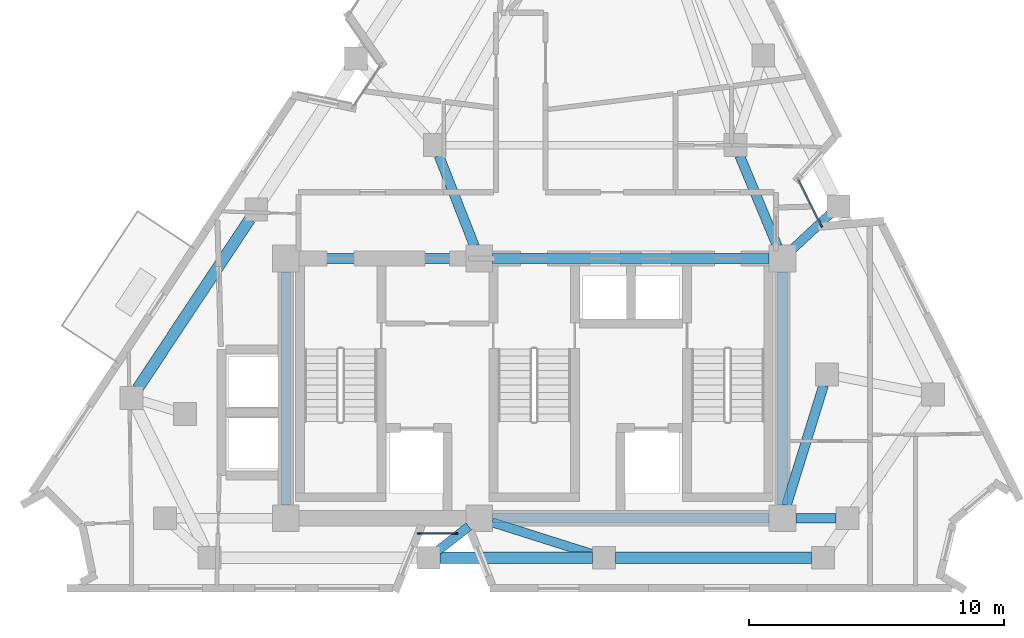
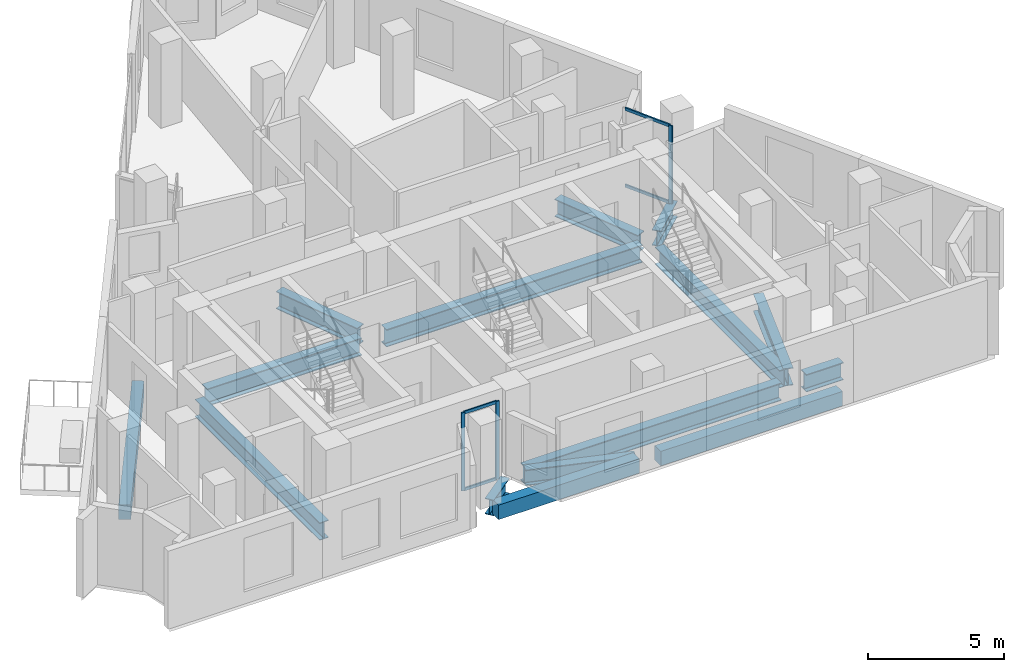
# One storey, part 2 of 10: 15 beams, 7 members, 2 elements without a shape of their own.
"""IFC4 building model written with IfcOpenShell, lengths in metres."""

from ifc_helpers import new_model, si_unit, direction, frame, origin, origin_2d, place, context, subcontext, project, spatial, rectangle, i_section, extrude, material, layer, layer_set, material_profile, profile_set, type_object, element, aggregate, save


model = new_model("IFC4")

# Units and contexts
model_context = context("Model", 3, precision=1e-05, world=origin(), true_north=direction((0.0, 1.0)))
body_context = subcontext(model_context, "Body", "Model", "MODEL_VIEW")
ifc_project = project(units=[si_unit("LENGTHUNIT", "METRE"), si_unit("AREAUNIT", "SQUARE_METRE"), si_unit("VOLUMEUNIT", "CUBIC_METRE"), si_unit("PLANEANGLEUNIT", "RADIAN"), si_unit("MASSUNIT", "GRAM", prefix="KILO")], contexts=[model_context])

# Site, building, storey
site_placement = place(None, origin())
site = spatial("IfcSite", under=ifc_project, at=site_placement, CompositionType="ELEMENT")
building_placement = place(site_placement, origin())
building = spatial("IfcBuilding", under=site, at=building_placement, Name="Almagre Mirador Tower", CompositionType="ELEMENT")
storey_placement = place(building_placement, frame((0.0, 0.0, 255.75)))
storey = spatial("IfcBuildingStorey", under=building, at=storey_placement, Name="L66", CompositionType="ELEMENT", Elevation=255.75)

# Beams
ifc_material_1 = material(Name="Precast concrete C50/60", Category="concrete")
ifc_material_profile_1 = material_profile(ifc_material_1, rectangle(XDim=0.449951171875, YDim=0.64990234375, at=origin_2d()), Name="RC450X650")
ifc_profile_set_1 = profile_set([ifc_material_profile_1], Name="Precast concrete C50/60")
beam_type_1 = type_object("IfcBeamType", Name="BM-SPN-RC450X650", PredefinedType="SPANDREL", material=ifc_profile_set_1)
beam_1_placement = place(storey_placement, frame((33.610107421875, 3.0, -0.574951171875), z_axis=(1.0, 0.0, 0.0), x_axis=(0.0, 1.0, 0.0)))
element("IfcBeam", 1, at=beam_1_placement, inside=storey, type_object=beam_type_1, Name="L66 perimeter spandrel beam PC02-PC03", PredefinedType="SPANDREL", context=body_context, shape_type="SweptSolid", body=[
    extrude(rectangle(XDim=0.449951171875, YDim=0.64990234375, at=origin_2d()), origin(), (0.0, 0.0, 1.0), 5.97998046875),
])
beam_2_placement = place(storey_placement, frame((40.489990234375, 3.0, -0.574951171875), z_axis=(1.0, 0.0, 0.0), x_axis=(0.0, 1.0, 0.0)))
element("IfcBeam", 2, at=beam_2_placement, inside=storey, type_object=beam_type_1, Name="L66 perimeter spandrel beam PC03-PC04", PredefinedType="SPANDREL", context=body_context, shape_type="SweptSolid", body=[
    extrude(rectangle(XDim=0.449951171875, YDim=0.64990234375, at=origin_2d()), origin(), (0.0, 0.0, 1.0), 7.699951171875),
])
beam_3_placement = place(storey_placement, frame((26.142578125, 16.3017578125, -0.574951171875), z_axis=(-0.552090728818, -0.833784041076, 0.0), x_axis=(0.833784041076, -0.552090728818, 0.0)))
element("IfcBeam", 3, at=beam_3_placement, inside=storey, type_object=beam_type_1, Name="L66 perimeter spandrel beam PC11-PC12", PredefinedType="SPANDREL", context=body_context, shape_type="SweptSolid", body=[
    extrude(rectangle(XDim=0.449951171875, YDim=0.64990234375, at=origin_2d()), origin(), (0.0, 0.0, 1.0), 7.975341796875),
])
ifc_material_2 = material(Name="Steel ASTM A992 Grade 50", Category="steel")
ifc_material_profile_2 = material_profile(ifc_material_2, i_section(OverallWidth=0.35791015625, OverallDepth=0.7060546875, WebThickness=0.018310546875, FlangeThickness=0.0302734375, FilletRadius=0.02197265625, at=origin_2d()), Name="W27X178")
ifc_profile_set_2 = profile_set([ifc_material_profile_2], Name="Steel ASTM A992 Grade 50")
beam_type_2 = type_object("IfcBeamType", Name="BM-STL-W27X178", PredefinedType="BEAM", material=ifc_profile_set_2)
beam_4_placement = place(storey_placement, frame((33.514892578125, 3.276611328125, -0.60302734375), z_axis=(0.789020779968, 0.614366510137, 0.0), x_axis=(-0.614366510137, 0.789020779968, 0.0)))
element("IfcBeam", 4, at=beam_4_placement, inside=storey, type_object=beam_type_2, Name="L66 radial floor girder PC02-CC2", PredefinedType="BEAM", context=body_context, shape_type="SweptSolid", body=[
    extrude(i_section(OverallWidth=0.35791015625, OverallDepth=0.7060546875, WebThickness=0.018310546875, FlangeThickness=0.0302734375, FilletRadius=0.02197265625, at=origin_2d()), origin(), (0.0, 0.0, 1.0), 1.54736328125),
])
beam_5_placement = place(storey_placement, frame((39.611083984375, 3.135986328125, -0.60302734375), z_axis=(-0.953262426314, 0.302143586027, 0.0), x_axis=(-0.302143586027, -0.953262426314, 0.0)))
element("IfcBeam", 5, at=beam_5_placement, inside=storey, type_object=beam_type_2, Name="L66 radial floor girder PC03-CC2", PredefinedType="BEAM", context=body_context, shape_type="SweptSolid", body=[
    extrude(i_section(OverallWidth=0.35791015625, OverallDepth=0.7060546875, WebThickness=0.018310546875, FlangeThickness=0.0302734375, FilletRadius=0.02197265625, at=origin_2d()), origin(), (0.0, 0.0, 1.0), 4.15478515625),
])
beam_6_placement = place(storey_placement, frame((48.927490234375, 16.49658203125, -0.60302734375), z_axis=(-0.732204787824, -0.681084538576, 0.0), x_axis=(0.681084538576, -0.732204787824, 0.0)))
element("IfcBeam", 6, at=beam_6_placement, inside=storey, type_object=beam_type_2, Name="L66 radial floor girder PC06-CC6", PredefinedType="BEAM", context=body_context, shape_type="SweptSolid", body=[
    extrude(i_section(OverallWidth=0.35791015625, OverallDepth=0.7060546875, WebThickness=0.018310546875, FlangeThickness=0.0302734375, FilletRadius=0.02197265625, at=origin_2d()), origin(), (0.0, 0.0, 1.0), 2.039306640625),
])
ifc_material_3 = material(Name="Steel ASTM A992 Grade 50", Category="steel")
ifc_material_profile_3 = material_profile(ifc_material_3, i_section(OverallWidth=0.384033203125, OverallDepth=0.784912109375, WebThickness=0.019775390625, FlangeThickness=0.033447265625, FilletRadius=0.02392578125, at=origin_2d()), Name="W30X211")
ifc_profile_set_3 = profile_set([ifc_material_profile_3], Name="Steel ASTM A992 Grade 50")
beam_type_3 = type_object("IfcBeamType", Name="BM-STL-W30X211", PredefinedType="BEAM", material=ifc_profile_set_3)
beam_7_placement = place(storey_placement, frame((35.675048828125, 4.550048828125, -0.642578125), z_axis=(1.0, 0.0, 0.0), x_axis=(0.0, 1.0, 0.0)))
element("IfcBeam", 7, at=beam_7_placement, inside=storey, type_object=beam_type_3, Name="L66 core tie girder CC2-CC3", PredefinedType="BEAM", context=body_context, shape_type="SweptSolid", body=[
    extrude(i_section(OverallWidth=0.384033203125, OverallDepth=0.784912109375, WebThickness=0.019775390625, FlangeThickness=0.033447265625, FilletRadius=0.02392578125, at=origin_2d()), origin(), (0.0, 0.0, 1.0), 10.849853515625),
])
beam_8_placement = place(storey_placement, frame((28.074951171875, 14.75, -0.642578125), z_axis=(1.0, 0.0, 0.0), x_axis=(0.0, 1.0, 0.0)))
element("IfcBeam", 8, at=beam_8_placement, inside=storey, type_object=beam_type_3, Name="L66 core tie girder CC4-CC5", PredefinedType="BEAM", context=body_context, shape_type="SweptSolid", body=[
    extrude(i_section(OverallWidth=0.384033203125, OverallDepth=0.784912109375, WebThickness=0.019775390625, FlangeThickness=0.033447265625, FilletRadius=0.02392578125, at=origin_2d()), origin(), (0.0, 0.0, 1.0), 6.550048828125),
])
beam_9_placement = place(storey_placement, frame((35.675048828125, 14.75, -0.642578125), z_axis=(1.0, 0.0, 0.0), x_axis=(0.0, 1.0, 0.0)))
element("IfcBeam", 9, at=beam_9_placement, inside=storey, type_object=beam_type_3, Name="L66 core tie girder CC5-CC6", PredefinedType="BEAM", context=body_context, shape_type="SweptSolid", body=[
    extrude(i_section(OverallWidth=0.384033203125, OverallDepth=0.784912109375, WebThickness=0.019775390625, FlangeThickness=0.033447265625, FilletRadius=0.02392578125, at=origin_2d()), origin(), (0.0, 0.0, 1.0), 10.849853515625),
])
for number, where, z_axis, x_axis, name in (
    (10, (27.550048828125, 5.074951171875, -0.642578125), (0.0, 1.0, 0.0), (-1.0, 0.0, 0.0), "L66 core tie girder CC1-CC4"),
    (11, (47.050048828125, 5.074951171875, -0.642578125), (0.0, 1.0, 0.0), (-1.0, 0.0, 0.0), "L66 core tie girder CC3-CC6"),
):
    element("IfcBeam", number, at=place(storey_placement, frame(where, z_axis=z_axis, x_axis=x_axis)), inside=storey, type_object=beam_type_3, Name=name, PredefinedType="BEAM", context=body_context, shape_type="SweptSolid", body=[
        extrude(i_section(OverallWidth=0.384033203125, OverallDepth=0.784912109375, WebThickness=0.019775390625, FlangeThickness=0.033447265625, FilletRadius=0.02392578125, at=origin_2d()), origin(), (0.0, 0.0, 1.0), 9.150146484375),
    ])
beam_10_placement = place(storey_placement, frame((49.14990234375, 4.550048828125, -0.642578125), z_axis=(-1.0, 0.0, 0.0), x_axis=(0.0, -1.0, 0.0)))
element("IfcBeam", 12, at=beam_10_placement, inside=storey, type_object=beam_type_3, Name="L66 core tie girder MC2-CC3", PredefinedType="BEAM", context=body_context, shape_type="SweptSolid", body=[
    extrude(i_section(OverallWidth=0.384033203125, OverallDepth=0.784912109375, WebThickness=0.019775390625, FlangeThickness=0.033447265625, FilletRadius=0.02392578125, at=origin_2d()), origin(), (0.0, 0.0, 1.0), 1.574951171875),
])
beam_11_placement = place(storey_placement, frame((48.6669921875, 9.77001953125, -0.642578125), z_axis=(-0.295901717967, -0.955218390372, 0.0), x_axis=(0.955218390372, -0.295901717967, 0.0)))
element("IfcBeam", 13, at=beam_11_placement, inside=storey, type_object=beam_type_3, Name="L66 core tie girder MC3-CC3", PredefinedType="BEAM", context=body_context, shape_type="SweptSolid", body=[
    extrude(i_section(OverallWidth=0.384033203125, OverallDepth=0.784912109375, WebThickness=0.019775390625, FlangeThickness=0.033447265625, FilletRadius=0.02392578125, at=origin_2d()), origin(), (0.0, 0.0, 1.0), 4.939697265625),
])
beam_12_placement = place(storey_placement, frame((45.372802734375, 18.784423828125, -0.642578125), z_axis=(0.383862140668, -0.923390414159, 0.0), x_axis=(0.923390414159, 0.383862140668, 0.0)))
element("IfcBeam", 14, at=beam_12_placement, inside=storey, type_object=beam_type_3, Name="L66 core tie girder MC5-CC6", PredefinedType="BEAM", context=body_context, shape_type="SweptSolid", body=[
    extrude(i_section(OverallWidth=0.384033203125, OverallDepth=0.784912109375, WebThickness=0.019775390625, FlangeThickness=0.033447265625, FilletRadius=0.02392578125, at=origin_2d()), origin(), (0.0, 0.0, 1.0), 3.843994140625),
])
beam_13_placement = place(storey_placement, frame((33.564697265625, 18.78125, -0.642578125), z_axis=(0.365999579355, -0.93061501595, 0.0), x_axis=(0.93061501595, 0.365999579355, 0.0)))
element("IfcBeam", 15, at=beam_13_placement, inside=storey, type_object=beam_type_3, Name="L66 core tie girder MC8-CC5", PredefinedType="BEAM", context=body_context, shape_type="SweptSolid", body=[
    extrude(i_section(OverallWidth=0.384033203125, OverallDepth=0.784912109375, WebThickness=0.019775390625, FlangeThickness=0.033447265625, FilletRadius=0.02392578125, at=origin_2d()), origin(), (0.0, 0.0, 1.0), 3.806884765625),
])

# Curtain wall, member
ifc_material_4 = material(Name="Black anodized aluminium", Category="aluminium")
ifc_layer = layer(ifc_material_4, 0.169921875)
ifc_layer_set = layer_set([ifc_layer], Name="Black anodized aluminium")
curtain_wall_type = type_object("IfcCurtainWallType", Name="CW-CRS-SYS", PredefinedType="NOTDEFINED", material=ifc_layer_set)
curtain_wall_1_placement = place(storey_placement, origin())
curtain_wall_1 = element("IfcCurtainWall", 16, at=curtain_wall_1_placement, inside=storey, type_object=curtain_wall_type, Name="L66 vertical crease curtain wall 03", PredefinedType="NOTDEFINED")
ifc_material_5 = material(Name="Black anodized aluminium", Category="aluminium")
ifc_material_profile_4 = material_profile(ifc_material_5, rectangle(XDim=0.06005859375, YDim=0.14990234375, at=origin_2d()), Name="CWM60X150")
ifc_profile_set_4 = profile_set([ifc_material_profile_4], Name="Black anodized aluminium")
member_type_1 = type_object("IfcMemberType", Name="MBR-CWM60X150", PredefinedType="MULLION", material=ifc_profile_set_4)
member_1_placement = place(storey_placement, frame((48.574462890625, 16.042724609375, 0.0), z_axis=(0.0, 0.0, 1.0), x_axis=(0.894427191001, 0.447213595499, 0.0)))
member_1 = element("IfcMember", 17, at=member_1_placement, type_object=member_type_1, Name="CW-4 mullion 2", PredefinedType="MULLION", context=body_context, shape_type="SweptSolid", body=[
    extrude(rectangle(XDim=0.06005859375, YDim=0.14990234375, at=origin_2d()), origin(), (0.0, 0.0, 1.0), 3.5),
])

# Curtain wall, members
curtain_wall_2_placement = place(storey_placement, origin())
curtain_wall_2 = element("IfcCurtainWall", 18, at=curtain_wall_2_placement, inside=storey, type_object=curtain_wall_type, Name="L66 vertical crease curtain wall 04", PredefinedType="NOTDEFINED")
member_2_placement = place(storey_placement, frame((34.235107421875, 3.949951171875, 0.0), z_axis=(0.0, 0.0, 1.0), x_axis=(0.0, -1.0, 0.0)))
member_2 = element("IfcMember", 19, at=member_2_placement, type_object=member_type_1, Name="CW-4 mullion 1", PredefinedType="MULLION", context=body_context, shape_type="SweptSolid", body=[
    extrude(rectangle(XDim=0.06005859375, YDim=0.14990234375, at=origin_2d()), origin(), (0.0, 0.0, 1.0), 3.5),
])
member_3_placement = place(storey_placement, frame((32.784912109375, 3.949951171875, 0.0), z_axis=(0.0, 0.0, 1.0), x_axis=(0.0, -1.0, 0.0)))
member_3 = element("IfcMember", 20, at=member_3_placement, type_object=member_type_1, Name="CW-4 mullion 2", PredefinedType="MULLION", context=body_context, shape_type="SweptSolid", body=[
    extrude(rectangle(XDim=0.06005859375, YDim=0.14990234375, at=origin_2d()), origin(), (0.0, 0.0, 1.0), 3.5),
])

# Member
ifc_material_6 = material(Name="Black anodized aluminium", Category="aluminium")
ifc_material_profile_5 = material_profile(ifc_material_6, rectangle(XDim=0.06005859375, YDim=0.1298828125, at=origin_2d()), Name="CWT60X130")
ifc_profile_set_5 = profile_set([ifc_material_profile_5], Name="Black anodized aluminium")
member_type_2 = type_object("IfcMemberType", Name="MBR-CWT60X130", PredefinedType="USERDEFINED", material=ifc_profile_set_5)
member_4_placement = place(storey_placement, frame((47.679931640625, 17.832275390625, 0.030029296875), z_axis=(0.4472135955, -0.894427191, 0.0), x_axis=(0.894427191, 0.4472135955, 0.0)))
member_4 = element("IfcMember", 21, at=member_4_placement, type_object=member_type_2, Name="CW-4 transom 1.1", ObjectType="TRANSOM", PredefinedType="USERDEFINED", context=body_context, shape_type="SweptSolid", body=[
    extrude(rectangle(XDim=0.06005859375, YDim=0.1298828125, at=origin_2d()), origin(), (0.0, 0.0, 1.0), 1.970703125),
])

member_5_placement = place(storey_placement, frame((47.679931640625, 17.832275390625, 3.469970703125), z_axis=(0.4472135955, -0.894427191, 0.0), x_axis=(0.894427191, 0.4472135955, 0.0)))
member_5 = element("IfcMember", 22, at=member_5_placement, type_object=member_type_2, Name="CW-4 transom 1.2", ObjectType="TRANSOM", PredefinedType="USERDEFINED", context=body_context, shape_type="SweptSolid", body=[
    extrude(rectangle(XDim=0.06005859375, YDim=0.1298828125, at=origin_2d()), origin(), (0.0, 0.0, 1.0), 1.970703125),
])

aggregate(curtain_wall_1, [member_1, member_4, member_5])

member_6_placement = place(storey_placement, frame((34.205078125, 3.949951171875, 0.030029296875), z_axis=(-1.0, 0.0, 0.0), x_axis=(0.0, -1.0, 0.0)))
member_6 = element("IfcMember", 23, at=member_6_placement, type_object=member_type_2, Name="CW-4 transom 1.1", ObjectType="TRANSOM", PredefinedType="USERDEFINED", context=body_context, shape_type="SweptSolid", body=[
    extrude(rectangle(XDim=0.06005859375, YDim=0.1298828125, at=origin_2d()), origin(), (0.0, 0.0, 1.0), 1.39013671875),
])

member_7_placement = place(storey_placement, frame((34.205078125, 3.949951171875, 3.469970703125), z_axis=(-1.0, 0.0, 0.0), x_axis=(0.0, -1.0, 0.0)))
member_7 = element("IfcMember", 24, at=member_7_placement, type_object=member_type_2, Name="CW-4 transom 1.2", ObjectType="TRANSOM", PredefinedType="USERDEFINED", context=body_context, shape_type="SweptSolid", body=[
    extrude(rectangle(XDim=0.06005859375, YDim=0.1298828125, at=origin_2d()), origin(), (0.0, 0.0, 1.0), 1.39013671875),
])

aggregate(curtain_wall_2, [member_2, member_3, member_6, member_7])

save(model, "model.ifc")
